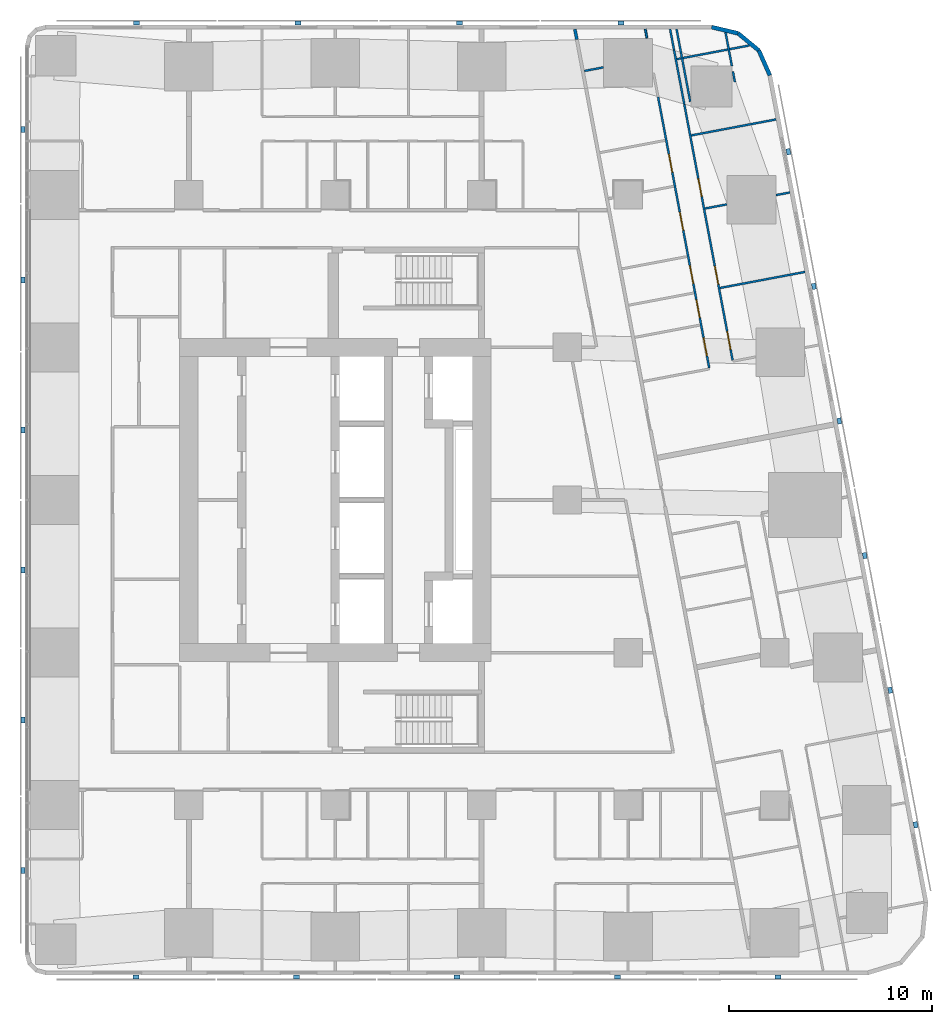
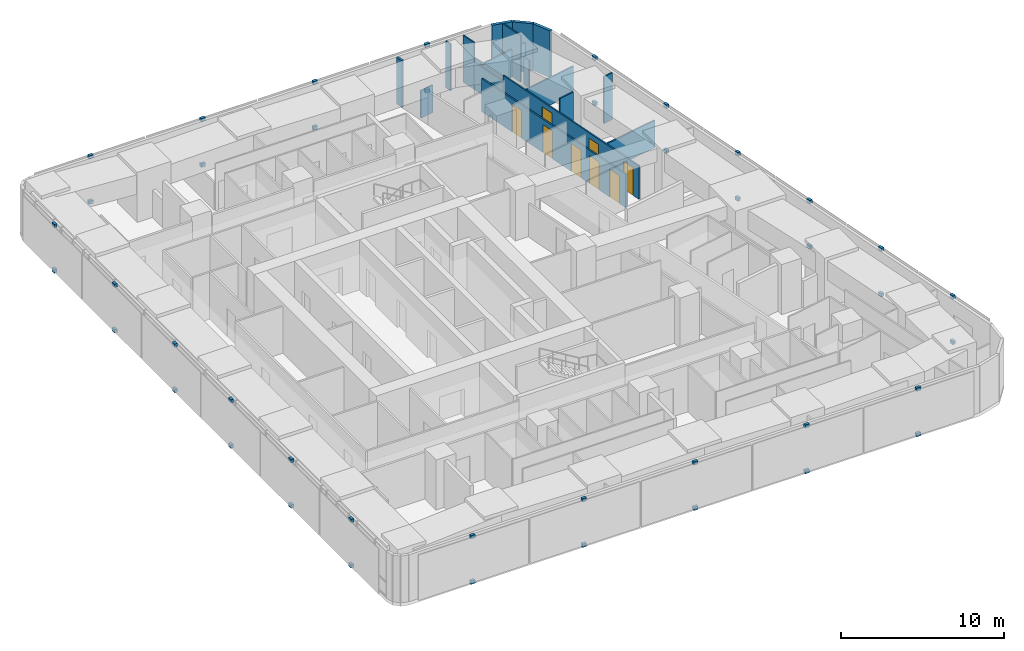
# One storey, part 17 of 19: 42 discrete accessories, 18 walls, 8 doors, 8 openings.
"""IFC4 building model written with IfcOpenShell, lengths in metres."""

import ifcopenshell
import ifcopenshell.guid

model = None  # the IFC model being written
_history = None  # IfcOwnerHistory: only IFC2X3 demands one
_inside = {}  # id of a spatial element -> (the spatial element, [elements in it])
_under = {}  # id of a project, library or spatial element -> (it, [spatial elements below it])
_declared = {}  # id of a project -> (the project, [libraries it declares])
_typed = {}  # id of a type object -> (the type object, [elements of that type])
_made_of = {}  # id of a material, layer set ... -> (it, [elements and type objects made of it])


def new_model(schema):
    """Start an empty IFC model of exactly this schema.

    Asked for "IFC4X3", IfcOpenShell would pick the latest addendum, in which some entities
    have other attributes; the version numbers below select the first issue.
    IFC2X3 requires an IfcOwnerHistory on every rooted entity: one is made here for all.
    """
    global model, _history
    if schema == "IFC4X3":
        model = ifcopenshell.file(schema_version=(4, 3, 0, 0))
    else:
        model = ifcopenshell.file(schema=schema)
    _inside.clear()
    _under.clear()
    _declared.clear()
    _typed.clear()
    _made_of.clear()
    _history = None
    if model.schema == "IFC2X3":
        org = make("IfcOrganization", Name="unknown")
        user = make(
            "IfcPersonAndOrganization",
            ThePerson=make("IfcPerson", FamilyName="unknown"),
            TheOrganization=org,
        )
        app = make(
            "IfcApplication",
            ApplicationDeveloper=org,
            Version="unknown",
            ApplicationFullName="unknown",
            ApplicationIdentifier="unknown",
        )
        _history = make(
            "IfcOwnerHistory",
            OwningUser=user,
            OwningApplication=app,
            ChangeAction="ADDED",
            CreationDate=0,
        )
    return model


def make(cls, **values):
    """One entity of the class cls with the attributes given. An attribute that is None is left unset."""
    return model.create_entity(
        cls, **{name: value for name, value in values.items() if value is not None}
    )


def rooted(cls, **values):
    """An entity with a GlobalId (a new one), such as an element, a storey or a relation."""
    return make(cls, GlobalId=ifcopenshell.guid.new(), OwnerHistory=_history, **values)


def si_unit(unit_type, name, prefix=None):
    """IfcSIUnit, for example si_unit("LENGTHUNIT", "METRE", prefix="MILLI")."""
    return make("IfcSIUnit", UnitType=unit_type, Prefix=prefix, Name=name)


def assignment(units):
    """IfcUnitAssignment: the units of a project."""
    return None if units is None else make("IfcUnitAssignment", Units=units)


def point(xyz):
    """IfcCartesianPoint."""
    return None if xyz is None else make("IfcCartesianPoint", Coordinates=xyz)


def direction(xyz):
    """IfcDirection."""
    return None if xyz is None else make("IfcDirection", DirectionRatios=xyz)


def frame(location, z_axis=None, x_axis=None):
    """IfcAxis2Placement3D, a coordinate frame: its origin and axes. An axis left out is left unset."""
    return make(
        "IfcAxis2Placement3D",
        Location=point(location),
        Axis=direction(z_axis),
        RefDirection=direction(x_axis),
    )


def frame_2d(location, x_axis=None):
    """IfcAxis2Placement2D, a coordinate frame in the plane: its origin and x axis."""
    return make(
        "IfcAxis2Placement2D", Location=point(location), RefDirection=direction(x_axis)
    )


def origin():
    """The frame at (0, 0, 0) with its axes left unset."""
    return frame((0.0, 0.0, 0.0))


def origin_2d():
    """The frame at (0, 0) in the plane with its x axis left unset."""
    return frame_2d((0.0, 0.0))


def place(relative_to, where):
    """IfcLocalPlacement: puts the frame where relative to a parent placement (None: the world)."""
    return make(
        "IfcLocalPlacement", PlacementRelTo=relative_to, RelativePlacement=where
    )


def context(
    kind, dimensions, precision=None, world=None, true_north=None, identifier=None
):
    """IfcGeometricRepresentationContext, for example the 3D "Model" context."""
    return make(
        "IfcGeometricRepresentationContext",
        ContextIdentifier=identifier,
        ContextType=kind,
        CoordinateSpaceDimension=dimensions,
        Precision=precision,
        WorldCoordinateSystem=world,
        TrueNorth=true_north,
    )


def subcontext(parent, identifier, kind, view, scale=None):
    """IfcGeometricRepresentationSubContext, for example "Body" below "Model"."""
    return make(
        "IfcGeometricRepresentationSubContext",
        ContextIdentifier=identifier,
        ContextType=kind,
        ParentContext=parent,
        TargetScale=scale,
        TargetView=view,
    )


def project(units=None, contexts=None):
    """IfcProject with its units and contexts."""
    return rooted(
        "IfcProject",
        Name="project",
        RepresentationContexts=contexts,
        UnitsInContext=assignment(units),
    )


def spatial(cls, under=None, at=None, **own):
    """A site, building, storey or space (cls), placed at a placement, below another one or the project."""
    s = rooted(cls, ObjectPlacement=at, **own)
    if under is not None:
        _under.setdefault(under.id(), (under, []))[1].append(s)
    return s


def profile(cls, at=None, kind="AREA", **sizes):
    """A parametric profile (cls). Its sizes go by their IFC names, for example OverallWidth=200.0."""
    return make(cls, ProfileType=kind, Position=at, **sizes)


def rectangle(**sizes):
    """IfcRectangleProfileDef."""
    return profile("IfcRectangleProfileDef", **sizes)


def extrude(swept, where, along, depth):
    """IfcExtrudedAreaSolid: the profile swept, set in the frame where, extruded along a direction by depth."""
    return make(
        "IfcExtrudedAreaSolid",
        SweptArea=swept,
        Position=where,
        ExtrudedDirection=direction(along),
        Depth=depth,
    )


def shape(context_of_items, identifier, shape_type, items):
    """IfcShapeRepresentation: the items that make up one representation, for example the "Body"."""
    return make(
        "IfcShapeRepresentation",
        ContextOfItems=context_of_items,
        RepresentationIdentifier=identifier,
        RepresentationType=shape_type,
        Items=items,
    )


def material(Name=None, Category=None):
    """IfcMaterial."""
    return make("IfcMaterial", Name=Name, Category=Category)


def layer(
    of_material, thickness, ventilated=None, Name=None, Category=None, Priority=None
):
    """IfcMaterialLayer: one layer of a wall or slab, of a material (None: an air gap)."""
    return make(
        "IfcMaterialLayer",
        Material=of_material,
        LayerThickness=thickness,
        IsVentilated=ventilated,
        Name=Name,
        Category=Category,
        Priority=Priority,
    )


def layer_set(layers, Name=None):
    """IfcMaterialLayerSet."""
    return make("IfcMaterialLayerSet", MaterialLayers=layers, LayerSetName=Name)


def made_of(thing, what):
    """Note that an element or type object is made of a material, layer set ...; save() writes the relation."""
    if what is not None:
        _made_of.setdefault(what.id(), (what, []))[1].append(thing)
    return thing


def type_object(cls, material=None, **own):
    """A type object (cls), such as IfcWallType, which elements share."""
    return made_of(rooted(cls, **own), material)


def element(
    cls,
    number,
    at=None,
    inside=None,
    cuts=None,
    type_object=None,
    material=None,
    context=None,
    identifier="Body",
    shape_type=None,
    held_by="IfcProductDefinitionShape",
    body=None,
    shapes=None,
    **own,
):
    """One element of the class cls, such as IfcWall. Its Tag is "e" and its number.

    at: its placement. inside: the storey or other place that contains it. cuts: it is an
    opening in that element (IfcRelVoidsElement). A single representation is given by context,
    identifier, shape_type and body (its items); several are given by shapes. held_by: the class
    of the entity that holds the representations. save() writes the other relations.
    """
    e = rooted(cls, Tag="e%d" % number, ObjectPlacement=at, **own)
    if body is not None:
        shapes = [shape(context, identifier, shape_type, body)]
    if shapes is not None:
        e.Representation = make(held_by, Representations=shapes)
    if inside is not None:
        _inside.setdefault(inside.id(), (inside, []))[1].append(e)
    if cuts is not None:
        rooted(
            "IfcRelVoidsElement", RelatingBuildingElement=cuts, RelatedOpeningElement=e
        )
    if type_object is not None:
        _typed.setdefault(type_object.id(), (type_object, []))[1].append(e)
    return made_of(e, material)


def fill(opening, filler):
    """IfcRelFillsElement: the door or window that sits in an opening."""
    return rooted(
        "IfcRelFillsElement",
        RelatingOpeningElement=opening,
        RelatedBuildingElement=filler,
    )


def aggregate(whole, parts):
    """IfcRelAggregates: a whole, such as a stair, and the parts it consists of."""
    return rooted("IfcRelAggregates", RelatingObject=whole, RelatedObjects=parts)


def save(model, path):
    """Write the relations noted so far, then the file.

    IfcRelAggregates (storeys below a building ...), IfcRelContainedInSpatialStructure (elements
    in a storey), IfcRelDefinesByType, IfcRelAssociatesMaterial and IfcRelDeclares: one each for
    every whole, place, type object, material and project.
    """
    for whole, parts in _under.values():
        aggregate(whole, parts)
    for where, things in _inside.values():
        rooted(
            "IfcRelContainedInSpatialStructure",
            RelatedElements=things,
            RelatingStructure=where,
        )
    for kind, things in _typed.values():
        rooted("IfcRelDefinesByType", RelatedObjects=things, RelatingType=kind)
    for what, things in _made_of.values():
        rooted("IfcRelAssociatesMaterial", RelatedObjects=things, RelatingMaterial=what)
    for by, libraries in _declared.values():
        rooted("IfcRelDeclares", RelatingContext=by, RelatedDefinitions=libraries)
    model.write(path)


model = new_model("IFC4")

# Units and contexts
model_context = context("Model", 3, precision=1e-05, world=origin(), true_north=direction((0.0, 1.0)))
body_context = subcontext(model_context, "Body", "Model", "MODEL_VIEW")
ifc_project = project(units=[si_unit("LENGTHUNIT", "METRE"), si_unit("AREAUNIT", "SQUARE_METRE"), si_unit("VOLUMEUNIT", "CUBIC_METRE"), si_unit("PLANEANGLEUNIT", "RADIAN"), si_unit("MASSUNIT", "GRAM", prefix="KILO")], contexts=[model_context])

# Site, building, storey
site_placement = place(None, origin())
site = spatial("IfcSite", under=ifc_project, at=site_placement, CompositionType="ELEMENT")
building_placement = place(site_placement, origin())
building = spatial("IfcBuilding", under=site, at=building_placement, Name="Sheger Commons Tower", CompositionType="ELEMENT")
storey_placement = place(building_placement, frame((0.0, 0.0, 197.449951171875)))
storey = spatial("IfcBuildingStorey", under=building, at=storey_placement, Name="L50", CompositionType="ELEMENT", Elevation=197.449951171875)

# Walls
ifc_material_1 = material(Name="Hollow concrete block masonry, skimmed both sides", Category="masonry")
ifc_layer_1 = layer(ifc_material_1, 0.14990234375)
ifc_layer_set_1 = layer_set([ifc_layer_1], Name="CORRIDOR WALL 150")
wall_type_1 = type_object("IfcWallType", Name="CORRIDOR WALL 150", PredefinedType="SOLIDWALL", material=ifc_layer_set_1)
wall_1_placement = place(storey_placement, frame((33.382080078125, 45.64990234375, 0.0), z_axis=(0.0, 0.0, 1.0), x_axis=(0.185657456326, -0.982614527122, 0.0)))
element("IfcWall", 1, at=wall_1_placement, inside=storey, type_object=wall_type_1, Name="Corridor wall L50", PredefinedType="SOLIDWALL", context=body_context, shape_type="SweptSolid", body=[
    extrude(rectangle(XDim=0.516845703125, YDim=0.14990234375, at=frame_2d((0.25830078125, 0.0))), origin(), (0.0, 0.0, 1.0), 3.5),
])
ifc_material_2 = material(Name="Rendered concrete block masonry, dark grey", Category="masonry")
ifc_layer_2 = layer(ifc_material_2, 0.199951171875)
ifc_layer_set_2 = layer_set([ifc_layer_2], Name="FACADE WALL 200")
wall_type_2 = type_object("IfcWallType", Name="FACADE WALL 200", PredefinedType="SOLIDWALL", material=ifc_layer_set_2)
wall_2_placement = place(storey_placement, frame((42.969970703125, 43.376953125, 0.0), z_axis=(0.0, 0.0, 1.0), x_axis=(-0.406002956633, 0.913871762998, 0.0)))
element("IfcWall", 2, at=wall_2_placement, inside=storey, type_object=wall_type_2, Name="Facade wall L50", PredefinedType="SOLIDWALL", context=body_context, shape_type="SweptSolid", body=[
    extrude(rectangle(XDim=1.33740234375, YDim=0.199951171875, at=frame_2d((0.668701171875, 0.0))), origin(), (0.0, 0.0, 1.0), 3.5),
])
wall_3_placement = place(storey_placement, frame((42.427001953125, 44.59912109375, 0.0), z_axis=(0.0, 0.0, 1.0), x_axis=(-0.770091412544, 0.637933551655, 0.0)))
element("IfcWall", 3, at=wall_3_placement, inside=storey, type_object=wall_type_2, Name="Facade wall L50", PredefinedType="SOLIDWALL", context=body_context, shape_type="SweptSolid", body=[
    extrude(rectangle(XDim=1.324462890625, YDim=0.199951171875, at=frame_2d((0.662109375, 0.0))), origin(), (0.0, 0.0, 1.0), 3.5),
])
wall_4_placement = place(storey_placement, frame((41.406982421875, 45.444091796875, 0.0), z_axis=(0.0, 0.0, 1.0), x_axis=(-0.973453091607, 0.228886606077, 0.0)))
element("IfcWall", 4, at=wall_4_placement, inside=storey, type_object=wall_type_2, Name="Facade wall L50", PredefinedType="SOLIDWALL", context=body_context, shape_type="SweptSolid", body=[
    extrude(rectangle(XDim=1.33642578125, YDim=0.199951171875, at=frame_2d((0.668212890625, 0.0))), origin(), (0.0, 0.0, 1.0), 3.5),
])
ifc_material_3 = material(Name="Gypsum board on steel studs", Category="steel")
ifc_layer_3 = layer(ifc_material_3, 0.10009765625)
ifc_layer_set_3 = layer_set([ifc_layer_3], Name="PARTITION 100")
wall_type_3 = type_object("IfcWallType", Name="PARTITION 100", PredefinedType="PARTITIONING", material=ifc_layer_set_3)
wall_5_placement = place(storey_placement, frame((39.053955078125, 42.0849609375, 0.0), z_axis=(0.0, 0.0, 1.0), x_axis=(-0.185791584218, 0.982589175207, 0.0)))
element("IfcWall", 5, at=wall_5_placement, inside=storey, type_object=wall_type_3, Name="Partition L50", PredefinedType="PARTITIONING", context=body_context, shape_type="SweptSolid", body=[
    extrude(rectangle(XDim=3.628173828125, YDim=0.10009765625, at=frame_2d((1.81396484375, 0.0))), origin(), (0.0, 0.0, 1.0), 2.050048828125),
])
wall_6_placement = place(storey_placement, frame((40.7890625, 45.487060546875, 0.0), z_axis=(0.0, 0.0, 1.0), x_axis=(0.185572395193, -0.982630594955, 0.0)))
element("IfcWall", 6, at=wall_6_placement, inside=storey, type_object=wall_type_3, Name="Partition L50", PredefinedType="PARTITIONING", context=body_context, shape_type="SweptSolid", body=[
    extrude(rectangle(XDim=1.676025390625, YDim=0.10009765625, at=frame_2d((0.837890625, 0.0))), origin(), (0.0, 0.0, 1.0), 3.5),
])
wall_7_placement = place(storey_placement, frame((41.15087890625, 43.569091796875, 0.0), z_axis=(0.0, 0.0, 1.0), x_axis=(0.186563073924, -0.982442985342, 0.0)))
element("IfcWall", 7, at=wall_7_placement, inside=storey, type_object=wall_type_3, Name="Partition L50", PredefinedType="PARTITIONING", context=body_context, shape_type="SweptSolid", body=[
    extrude(rectangle(XDim=0.53125, YDim=0.10009765625, at=frame_2d((0.265625, 0.0))), origin(), (0.0, 0.0, 1.0), 2.050048828125),
])
wall_8_placement = place(storey_placement, frame((38.06298828125, 45.64990234375, 0.0), z_axis=(0.0, 0.0, 1.0), x_axis=(0.185677287841, -0.982610779902, 0.0)))
element("IfcWall", 8, at=wall_8_placement, inside=storey, type_object=wall_type_3, Name="Partition L50", PredefinedType="PARTITIONING", context=body_context, shape_type="SweptSolid", body=[
    extrude(rectangle(XDim=1.0400390625, YDim=0.10009765625, at=frame_2d((0.52001953125, 0.0))), origin(), (0.0, 0.0, 1.0), 3.5),
])
wall_9_placement = place(storey_placement, frame((38.256103515625, 44.6279296875, 0.0), z_axis=(0.0, 0.0, 1.0), x_axis=(0.185700639943, -0.982606366927, 0.0)))
element("IfcWall", 9, at=wall_9_placement, inside=storey, type_object=wall_type_3, Name="Partition L50", PredefinedType="PARTITIONING", context=body_context, shape_type="SweptSolid", body=[
    extrude(rectangle(XDim=2.734619140625, YDim=0.10009765625, at=frame_2d((1.3671875, 0.0))), origin(), (0.0, 0.0, 1.0), 2.050048828125),
])

# Wall, openings, doors
wall_10_placement = place(storey_placement, frame((38.763916015625, 41.94091796875, 0.0), z_axis=(0.0, 0.0, 1.0), x_axis=(0.185512176227, -0.982641965556, 0.0)))
wall_10 = element("IfcWall", 10, at=wall_10_placement, inside=storey, type_object=wall_type_3, Name="Partition L50", PredefinedType="PARTITIONING", context=body_context, shape_type="SweptSolid", body=[
    extrude(rectangle(XDim=12.791748046875, YDim=0.10009765625, at=frame_2d((6.39599609375, 0.0))), origin(), (0.0, 0.0, 1.0), 2.5),
])
opening_1_placement = place(wall_10_placement, frame((11.35009765625, 0.0, 0.0)))
opening_1 = element("IfcOpeningElement", 11, at=opening_1_placement, cuts=wall_10, Name="Opening D2", PredefinedType="OPENING", context=body_context, shape_type="SweptSolid", body=[
    extrude(rectangle(XDim=0.89990234375, YDim=2.10009765625, at=frame_2d((0.449951171875, 1.050048828125))), frame((0.0, 0.06005859375, 0.0), z_axis=(0.0, -1.0, 0.0), x_axis=(1.0, 0.0, 0.0)), (0.0, 0.0, 1.0), 0.1201171875),
])
opening_2_placement = place(wall_10_placement, frame((8.0849609375, 0.0, 0.0)))
opening_2 = element("IfcOpeningElement", 12, at=opening_2_placement, cuts=wall_10, Name="Opening D2", PredefinedType="OPENING", context=body_context, shape_type="SweptSolid", body=[
    extrude(rectangle(XDim=0.89990234375, YDim=2.10009765625, at=frame_2d((0.449951171875, 1.050048828125))), frame((0.0, 0.06005859375, 0.0), z_axis=(0.0, -1.0, 0.0), x_axis=(1.0, 0.0, 0.0)), (0.0, 0.0, 1.0), 0.1201171875),
])
opening_3_placement = place(wall_10_placement, frame((3.699951171875, 0.0, 0.0)))
opening_3 = element("IfcOpeningElement", 13, at=opening_3_placement, cuts=wall_10, Name="Opening D2", PredefinedType="OPENING", context=body_context, shape_type="SweptSolid", body=[
    extrude(rectangle(XDim=0.89990234375, YDim=2.10009765625, at=frame_2d((0.449951171875, 1.050048828125))), frame((0.0, 0.06005859375, 0.0), z_axis=(0.0, -1.0, 0.0), x_axis=(1.0, 0.0, 0.0)), (0.0, 0.0, 1.0), 0.1201171875),
])
ifc_material_4 = material(Name="Timber door set", Category="wood")
door_type = type_object("IfcDoorType", Name="INTERNAL DOOR 900x2100", OperationType="NOTDEFINED", PredefinedType="DOOR", material=ifc_material_4)
door_1_placement = place(opening_1_placement, origin())
door_1 = element("IfcDoor", 14, at=door_1_placement, inside=storey, type_object=door_type, Name="Main bedroom door", OperationType="SINGLE_SWING_RIGHT", OverallHeight=2.10009765625, OverallWidth=0.89990234375, PredefinedType="DOOR", context=body_context, shape_type="SweptSolid", body=[
    extrude(rectangle(XDim=0.89990234375, YDim=2.10009765625, at=frame_2d((0.449951171875, 1.050048828125))), frame((0.0, 0.02490234375, 0.0), z_axis=(0.0, -1.0, 0.0), x_axis=(1.0, 0.0, 0.0)), (0.0, 0.0, 1.0), 0.050048828125),
])
fill(opening_1, door_1)
door_2_placement = place(opening_2_placement, origin())
door_2 = element("IfcDoor", 15, at=door_2_placement, inside=storey, type_object=door_type, Name="Bedroom 2 door", OperationType="SINGLE_SWING_RIGHT", OverallHeight=2.10009765625, OverallWidth=0.89990234375, PredefinedType="DOOR", context=body_context, shape_type="SweptSolid", body=[
    extrude(rectangle(XDim=0.89990234375, YDim=2.10009765625, at=frame_2d((0.449951171875, 1.050048828125))), frame((0.0, 0.02490234375, 0.0), z_axis=(0.0, -1.0, 0.0), x_axis=(1.0, 0.0, 0.0)), (0.0, 0.0, 1.0), 0.050048828125),
])
fill(opening_2, door_2)
door_3_placement = place(opening_3_placement, origin())
door_3 = element("IfcDoor", 16, at=door_3_placement, inside=storey, type_object=door_type, Name="Bedroom 3 door", OperationType="SINGLE_SWING_RIGHT", OverallHeight=2.10009765625, OverallWidth=0.89990234375, PredefinedType="DOOR", context=body_context, shape_type="SweptSolid", body=[
    extrude(rectangle(XDim=0.89990234375, YDim=2.10009765625, at=frame_2d((0.449951171875, 1.050048828125))), frame((0.0, 0.02490234375, 0.0), z_axis=(0.0, -1.0, 0.0), x_axis=(1.0, 0.0, 0.0)), (0.0, 0.0, 1.0), 0.050048828125),
])
fill(opening_3, door_3)

# Wall
wall_11_placement = place(storey_placement, frame((36.842041015625, 45.64990234375, 0.0), z_axis=(0.0, 0.0, 1.0), x_axis=(0.185407859198, -0.982661653748, 0.0)))
element("IfcWall", 17, at=wall_11_placement, inside=storey, type_object=wall_type_3, Name="Partition L50", PredefinedType="PARTITIONING", context=body_context, shape_type="SweptSolid", body=[
    extrude(rectangle(XDim=0.44775390625, YDim=0.10009765625, at=frame_2d((0.223876953125, 0.0))), origin(), (0.0, 0.0, 1.0), 3.5),
])

# Wall, openings, doors
wall_12_placement = place(storey_placement, frame((37.472900390625, 42.30908203125, 0.0), z_axis=(0.0, 0.0, 1.0), x_axis=(0.185570636839, -0.982630927024, 0.0)))
wall_12 = element("IfcWall", 18, at=wall_12_placement, inside=storey, type_object=wall_type_3, Name="Partition L50", PredefinedType="PARTITIONING", context=body_context, shape_type="SweptSolid", body=[
    extrude(rectangle(XDim=13.553466796875, YDim=0.10009765625, at=frame_2d((6.77685546875, 0.0))), origin(), (0.0, 0.0, 1.0), 2.5),
])
opening_4_placement = place(wall_12_placement, frame((12.049072265625, 0.0, 0.0)))
opening_4 = element("IfcOpeningElement", 19, at=opening_4_placement, cuts=wall_12, Name="Opening D2", PredefinedType="OPENING", context=body_context, shape_type="SweptSolid", body=[
    extrude(rectangle(XDim=0.89990234375, YDim=2.10009765625, at=frame_2d((0.449951171875, 1.050048828125))), frame((0.0, 0.06005859375, 0.0), z_axis=(0.0, -1.0, 0.0), x_axis=(1.0, 0.0, 0.0)), (0.0, 0.0, 1.0), 0.1201171875),
])
opening_5_placement = place(wall_12_placement, frame((8.427001953125, 0.0, 0.0)))
opening_5 = element("IfcOpeningElement", 20, at=opening_5_placement, cuts=wall_12, Name="Opening D2", PredefinedType="OPENING", context=body_context, shape_type="SweptSolid", body=[
    extrude(rectangle(XDim=0.89990234375, YDim=2.10009765625, at=frame_2d((0.449951171875, 1.050048828125))), frame((0.0, 0.06005859375, 0.0), z_axis=(0.0, -1.0, 0.0), x_axis=(1.0, 0.0, 0.0)), (0.0, 0.0, 1.0), 0.1201171875),
])
opening_6_placement = place(wall_12_placement, frame((2.85302734375, 0.0, 0.0)))
opening_6 = element("IfcOpeningElement", 21, at=opening_6_placement, cuts=wall_12, Name="Opening D2", PredefinedType="OPENING", context=body_context, shape_type="SweptSolid", body=[
    extrude(rectangle(XDim=0.89990234375, YDim=2.10009765625, at=frame_2d((0.449951171875, 1.050048828125))), frame((0.0, 0.06005859375, 0.0), z_axis=(0.0, -1.0, 0.0), x_axis=(1.0, 0.0, 0.0)), (0.0, 0.0, 1.0), 0.1201171875),
])
opening_7_placement = place(wall_12_placement, frame((10.139892578125, 0.0, 0.0)))
opening_7 = element("IfcOpeningElement", 22, at=opening_7_placement, cuts=wall_12, Name="Opening D2", PredefinedType="OPENING", context=body_context, shape_type="SweptSolid", body=[
    extrude(rectangle(XDim=0.89990234375, YDim=2.10009765625, at=frame_2d((0.449951171875, 1.050048828125))), frame((0.0, 0.06005859375, 0.0), z_axis=(0.0, -1.0, 0.0), x_axis=(1.0, 0.0, 0.0)), (0.0, 0.0, 1.0), 0.1201171875),
])
opening_8_placement = place(wall_12_placement, frame((5.759033203125, 0.0, 0.0)))
opening_8 = element("IfcOpeningElement", 23, at=opening_8_placement, cuts=wall_12, Name="Opening D2", PredefinedType="OPENING", context=body_context, shape_type="SweptSolid", body=[
    extrude(rectangle(XDim=0.89990234375, YDim=2.10009765625, at=frame_2d((0.449951171875, 1.050048828125))), frame((0.0, 0.06005859375, 0.0), z_axis=(0.0, -1.0, 0.0), x_axis=(1.0, 0.0, 0.0)), (0.0, 0.0, 1.0), 0.1201171875),
])
door_4_placement = place(opening_4_placement, origin())
door_4 = element("IfcDoor", 24, at=door_4_placement, inside=storey, type_object=door_type, Name="Bathroom door", OperationType="SINGLE_SWING_LEFT", OverallHeight=2.10009765625, OverallWidth=0.89990234375, PredefinedType="DOOR", context=body_context, shape_type="SweptSolid", body=[
    extrude(rectangle(XDim=0.89990234375, YDim=2.10009765625, at=frame_2d((0.449951171875, 1.050048828125))), frame((0.0, 0.02490234375, 0.0), z_axis=(0.0, -1.0, 0.0), x_axis=(1.0, 0.0, 0.0)), (0.0, 0.0, 1.0), 0.050048828125),
])
fill(opening_4, door_4)
door_5_placement = place(opening_5_placement, origin())
door_5 = element("IfcDoor", 25, at=door_5_placement, inside=storey, type_object=door_type, Name="Laundry room door", OperationType="SINGLE_SWING_LEFT", OverallHeight=2.10009765625, OverallWidth=0.89990234375, PredefinedType="DOOR", context=body_context, shape_type="SweptSolid", body=[
    extrude(rectangle(XDim=0.89990234375, YDim=2.10009765625, at=frame_2d((0.449951171875, 1.050048828125))), frame((0.0, 0.02490234375, 0.0), z_axis=(0.0, -1.0, 0.0), x_axis=(1.0, 0.0, 0.0)), (0.0, 0.0, 1.0), 0.050048828125),
])
fill(opening_5, door_5)
door_6_placement = place(opening_6_placement, origin())
door_6 = element("IfcDoor", 26, at=door_6_placement, inside=storey, type_object=door_type, Name="Laundry room door", OperationType="SINGLE_SWING_LEFT", OverallHeight=2.10009765625, OverallWidth=0.89990234375, PredefinedType="DOOR", context=body_context, shape_type="SweptSolid", body=[
    extrude(rectangle(XDim=0.89990234375, YDim=2.10009765625, at=frame_2d((0.449951171875, 1.050048828125))), frame((0.0, 0.02490234375, 0.0), z_axis=(0.0, -1.0, 0.0), x_axis=(1.0, 0.0, 0.0)), (0.0, 0.0, 1.0), 0.050048828125),
])
fill(opening_6, door_6)
door_7_placement = place(opening_7_placement, origin())
door_7 = element("IfcDoor", 27, at=door_7_placement, inside=storey, type_object=door_type, Name="Store door", OperationType="SINGLE_SWING_RIGHT", OverallHeight=2.10009765625, OverallWidth=0.89990234375, PredefinedType="DOOR", context=body_context, shape_type="SweptSolid", body=[
    extrude(rectangle(XDim=0.89990234375, YDim=2.10009765625, at=frame_2d((0.449951171875, 1.050048828125))), frame((0.0, 0.02490234375, 0.0), z_axis=(0.0, -1.0, 0.0), x_axis=(1.0, 0.0, 0.0)), (0.0, 0.0, 1.0), 0.050048828125),
])
fill(opening_7, door_7)
door_8_placement = place(opening_8_placement, origin())
door_8 = element("IfcDoor", 28, at=door_8_placement, inside=storey, type_object=door_type, Name="Store door", OperationType="SINGLE_SWING_RIGHT", OverallHeight=2.10009765625, OverallWidth=0.89990234375, PredefinedType="DOOR", context=body_context, shape_type="SweptSolid", body=[
    extrude(rectangle(XDim=0.89990234375, YDim=2.10009765625, at=frame_2d((0.449951171875, 1.050048828125))), frame((0.0, 0.02490234375, 0.0), z_axis=(0.0, -1.0, 0.0), x_axis=(1.0, 0.0, 0.0)), (0.0, 0.0, 1.0), 0.050048828125),
])
fill(opening_8, door_8)

# Walls
wall_13_placement = place(storey_placement, frame((41.968017578125, 44.85009765625, 0.0), z_axis=(0.0, 0.0, 1.0), x_axis=(-0.98258614234, -0.185807623311, 0.0)))
element("IfcWall", 29, at=wall_13_placement, inside=storey, type_object=wall_type_3, Name="Partition L50", PredefinedType="PARTITIONING", context=body_context, shape_type="SweptSolid", body=[
    extrude(rectangle(XDim=3.638427734375, YDim=0.10009765625, at=frame_2d((1.8193359375, 0.0))), origin(), (0.0, 0.0, 1.0), 2.050048828125),
])
wall_14_placement = place(storey_placement, frame((43.277099609375, 41.2119140625, 0.0), z_axis=(0.0, 0.0, 1.0), x_axis=(-0.982665405803, -0.185387972203, 0.0)))
element("IfcWall", 30, at=wall_14_placement, inside=storey, type_object=wall_type_3, Name="Partition L50", PredefinedType="PARTITIONING", context=body_context, shape_type="SweptSolid", body=[
    extrude(rectangle(XDim=4.249755859375, YDim=0.10009765625, at=frame_2d((2.125, 0.0))), origin(), (0.0, 0.0, 1.0), 2.050048828125),
])
wall_15_placement = place(storey_placement, frame((43.955078125, 37.6201171875, 0.0), z_axis=(0.0, 0.0, 1.0), x_axis=(-0.982495415327, -0.186286765128, 0.0)))
element("IfcWall", 31, at=wall_15_placement, inside=storey, type_object=wall_type_3, Name="Partition L50", PredefinedType="PARTITIONING", context=body_context, shape_type="SweptSolid", body=[
    extrude(rectangle(XDim=0.693359375, YDim=0.10009765625, at=frame_2d((0.3466796875, 0.0))), origin(), (0.0, 0.0, 1.0), 3.5),
])
wall_16_placement = place(storey_placement, frame((40.85400390625, 37.033935546875, 0.0), z_axis=(0.0, 0.0, 1.0), x_axis=(-0.982651678759, -0.185460718839, 0.0)))
element("IfcWall", 32, at=wall_16_placement, inside=storey, type_object=wall_type_3, Name="Partition L50", PredefinedType="PARTITIONING", context=body_context, shape_type="SweptSolid", body=[
    extrude(rectangle(XDim=1.093994140625, YDim=0.10009765625, at=frame_2d((0.546875, 0.0))), origin(), (0.0, 0.0, 1.0), 3.5),
])
wall_17_placement = place(storey_placement, frame((44.693115234375, 33.712890625, 0.0), z_axis=(0.0, 0.0, 1.0), x_axis=(-0.982623519589, -0.185609856287, 0.0)))
element("IfcWall", 33, at=wall_17_placement, inside=storey, type_object=wall_type_3, Name="Partition L50", PredefinedType="PARTITIONING", context=body_context, shape_type="SweptSolid", body=[
    extrude(rectangle(XDim=4.249755859375, YDim=0.10009765625, at=frame_2d((2.125, 0.0))), origin(), (0.0, 0.0, 1.0), 2.050048828125),
])
wall_18_placement = place(storey_placement, frame((34.7900390625, 43.77197265625, 0.0), z_axis=(0.0, 0.0, 1.0), x_axis=(-0.982655532093, -0.185440301034, 0.0)))
element("IfcWall", 34, at=wall_18_placement, inside=storey, type_object=wall_type_3, Name="Partition L50", PredefinedType="PARTITIONING", context=body_context, shape_type="SweptSolid", body=[
    extrude(rectangle(XDim=0.959716796875, YDim=0.10009765625, at=frame_2d((0.47998046875, 0.0))), origin(), (0.0, 0.0, 1.0), 2.050048828125),
])

# Discrete accessories
ifc_material_5 = material(Name="Black painted steel bracket", Category="steel")
discrete_accessory_type = type_object("IfcDiscreteAccessoryType", Name="SCREEN BRACKET 300x200x250", PredefinedType="BRACKET", material=ifc_material_5)
for number, where, z_axis, x_axis, name in (
    (35, (11.7958984375, -0.949951171875, -0.099853515625), (0.0, 0.0, 1.0), (1.0, 0.0, 0.0), "Solar screen foot bracket"),
    (36, (11.7958984375, -0.949951171875, 3.300048828125), (0.0, 0.0, 1.0), (1.0, 0.0, 0.0), "Solar screen head bracket"),
    (37, (19.68701171875, -0.949951171875, -0.099853515625), (0.0, 0.0, 1.0), (1.0, 0.0, 0.0), "Solar screen foot bracket"),
    (38, (19.68701171875, -0.949951171875, 3.300048828125), (0.0, 0.0, 1.0), (1.0, 0.0, 0.0), "Solar screen head bracket"),
    (39, (27.577880859375, -0.949951171875, -0.099853515625), (0.0, 0.0, 1.0), (1.0, 0.0, 0.0), "Solar screen foot bracket"),
    (40, (27.577880859375, -0.949951171875, 3.300048828125), (0.0, 0.0, 1.0), (1.0, 0.0, 0.0), "Solar screen head bracket"),
    (41, (35.468994140625, -0.949951171875, -0.099853515625), (0.0, 0.0, 1.0), (1.0, 0.0, 0.0), "Solar screen foot bracket"),
    (42, (35.468994140625, -0.949951171875, 3.300048828125), (0.0, 0.0, 1.0), (1.0, 0.0, 0.0), "Solar screen head bracket"),
    (43, (43.360107421875, -0.949951171875, -0.099853515625), (0.0, 0.0, 1.0), (1.0, 0.0, 0.0), "Solar screen foot bracket"),
    (44, (43.360107421875, -0.949951171875, 3.300048828125), (0.0, 0.0, 1.0), (1.0, 0.0, 0.0), "Solar screen head bracket"),
    (45, (50.134033203125, 6.527099609375, -0.099853515625), (0.0, 0.0, 1.0), (-0.185615165645, 0.982622516678, 0.0), "Solar screen foot bracket"),
    (46, (50.134033203125, 6.527099609375, 3.300048828125), (0.0, 0.0, 1.0), (-0.185615165645, 0.982622516678, 0.0), "Solar screen head bracket"),
    (47, (48.884033203125, 13.14599609375, -0.099853515625), (0.0, 0.0, 1.0), (-0.185615165645, 0.982622516678, 0.0), "Solar screen foot bracket"),
    (48, (48.884033203125, 13.14599609375, 3.300048828125), (0.0, 0.0, 1.0), (-0.185615165645, 0.982622516678, 0.0), "Solar screen head bracket"),
    (49, (47.633056640625, 19.76611328125, -0.099853515625), (0.0, 0.0, 1.0), (-0.185615165645, 0.982622516678, 0.0), "Solar screen foot bracket"),
    (50, (47.633056640625, 19.76611328125, 3.300048828125), (0.0, 0.0, 1.0), (-0.185615165645, 0.982622516678, 0.0), "Solar screen head bracket"),
    (51, (46.383056640625, 26.385009765625, -0.099853515625), (0.0, 0.0, 1.0), (-0.185615165645, 0.982622516678, 0.0), "Solar screen foot bracket"),
    (52, (46.383056640625, 26.385009765625, 3.300048828125), (0.0, 0.0, 1.0), (-0.185615165645, 0.982622516678, 0.0), "Solar screen head bracket"),
    (53, (45.133056640625, 33.0048828125, -0.099853515625), (0.0, 0.0, 1.0), (-0.185615165645, 0.982622516678, 0.0), "Solar screen foot bracket"),
    (54, (45.133056640625, 33.0048828125, 3.300048828125), (0.0, 0.0, 1.0), (-0.185615165645, 0.982622516678, 0.0), "Solar screen head bracket"),
    (55, (43.882080078125, 39.6240234375, -0.099853515625), (0.0, 0.0, 1.0), (-0.185615165645, 0.982622516678, 0.0), "Solar screen foot bracket"),
    (56, (43.882080078125, 39.6240234375, 3.300048828125), (0.0, 0.0, 1.0), (-0.185615165645, 0.982622516678, 0.0), "Solar screen head bracket"),
    (57, (35.64697265625, 45.949951171875, -0.099853515625), (0.0, 0.0, 1.0), (-1.0, 0.0, 0.0), "Solar screen foot bracket"),
    (58, (35.64697265625, 45.949951171875, 3.300048828125), (0.0, 0.0, 1.0), (-1.0, 0.0, 0.0), "Solar screen head bracket"),
    (59, (27.705078125, 45.949951171875, -0.099853515625), (0.0, 0.0, 1.0), (-1.0, 0.0, 0.0), "Solar screen foot bracket"),
    (60, (27.705078125, 45.949951171875, 3.300048828125), (0.0, 0.0, 1.0), (-1.0, 0.0, 0.0), "Solar screen head bracket"),
    (61, (19.762939453125, 45.949951171875, -0.099853515625), (0.0, 0.0, 1.0), (-1.0, 0.0, 0.0), "Solar screen foot bracket"),
    (62, (19.762939453125, 45.949951171875, 3.300048828125), (0.0, 0.0, 1.0), (-1.0, 0.0, 0.0), "Solar screen head bracket"),
    (63, (11.821044921875, 45.949951171875, -0.099853515625), (0.0, 0.0, 1.0), (-1.0, 0.0, 0.0), "Solar screen foot bracket"),
    (64, (11.821044921875, 45.949951171875, 3.300048828125), (0.0, 0.0, 1.0), (-1.0, 0.0, 0.0), "Solar screen head bracket"),
    (65, (6.25, 40.7080078125, -0.099853515625), (0.0, 0.0, 1.0), (0.0, -1.0, 0.0), "Solar screen foot bracket"),
    (66, (6.25, 40.7080078125, 3.300048828125), (0.0, 0.0, 1.0), (0.0, -1.0, 0.0), "Solar screen head bracket"),
    (67, (6.25, 33.324951171875, -0.099853515625), (0.0, 0.0, 1.0), (0.0, -1.0, 0.0), "Solar screen foot bracket"),
    (68, (6.25, 33.324951171875, 3.300048828125), (0.0, 0.0, 1.0), (0.0, -1.0, 0.0), "Solar screen head bracket"),
    (69, (6.25, 25.94189453125, -0.099853515625), (0.0, 0.0, 1.0), (0.0, -1.0, 0.0), "Solar screen foot bracket"),
    (70, (6.25, 25.94189453125, 3.300048828125), (0.0, 0.0, 1.0), (0.0, -1.0, 0.0), "Solar screen head bracket"),
    (71, (6.25, 19.05810546875, -0.099853515625), (0.0, 0.0, 1.0), (0.0, -1.0, 0.0), "Solar screen foot bracket"),
    (72, (6.25, 19.05810546875, 3.300048828125), (0.0, 0.0, 1.0), (0.0, -1.0, 0.0), "Solar screen head bracket"),
    (73, (6.25, 11.675048828125, -0.099853515625), (0.0, 0.0, 1.0), (0.0, -1.0, 0.0), "Solar screen foot bracket"),
    (74, (6.25, 11.675048828125, 3.300048828125), (0.0, 0.0, 1.0), (0.0, -1.0, 0.0), "Solar screen head bracket"),
    (75, (6.25, 4.2919921875, -0.099853515625), (0.0, 0.0, 1.0), (0.0, -1.0, 0.0), "Solar screen foot bracket"),
    (76, (6.25, 4.2919921875, 3.300048828125), (0.0, 0.0, 1.0), (0.0, -1.0, 0.0), "Solar screen head bracket"),
):
    element("IfcDiscreteAccessory", number, at=place(storey_placement, frame(where, z_axis=z_axis, x_axis=x_axis)), inside=storey, type_object=discrete_accessory_type, Name=name, PredefinedType="BRACKET", context=body_context, shape_type="SweptSolid", body=[
        extrude(rectangle(XDim=0.300048828125, YDim=0.199951171875, at=origin_2d()), origin(), (0.0, 0.0, 1.0), 0.25),
    ])

save(model, "model.ifc")
